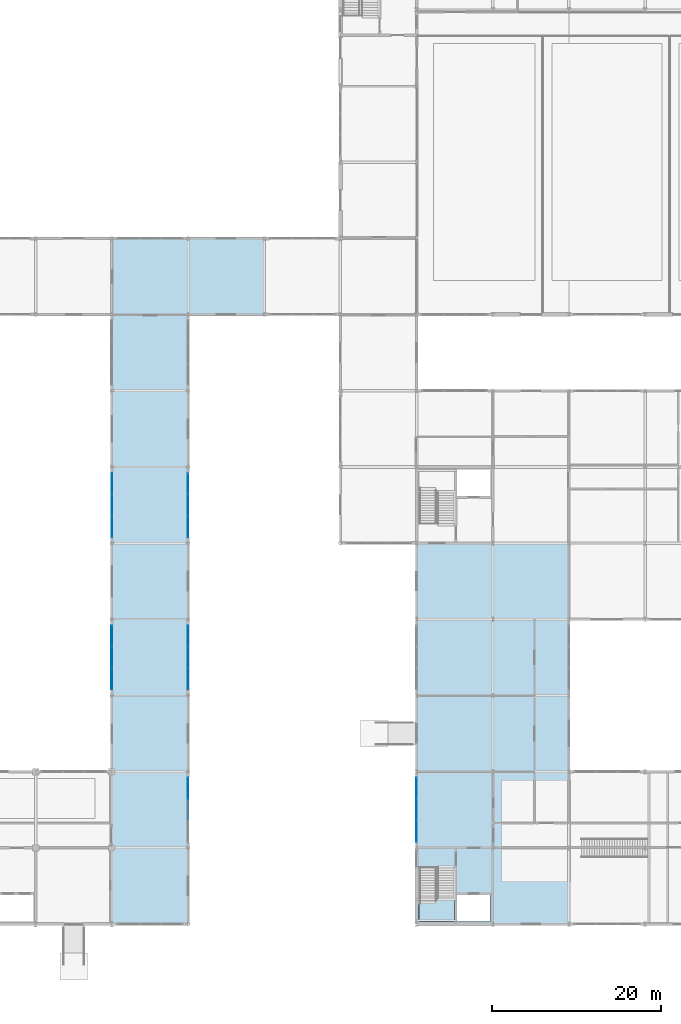
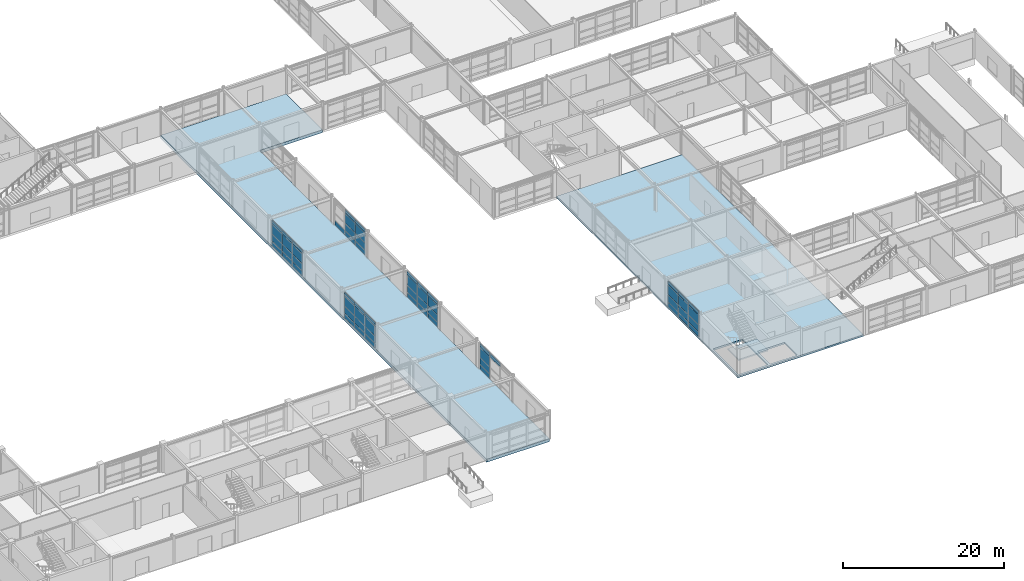
# One storey, part 47 of 72: 62 plates, 3 slabs, 6 elements without a shape of their own.
"""IFC4 building model written with IfcOpenShell, lengths in metres."""

import ifcopenshell
import ifcopenshell.guid

model = None  # the IFC model being written
_history = None  # IfcOwnerHistory: only IFC2X3 demands one
_inside = {}  # id of a spatial element -> (the spatial element, [elements in it])
_under = {}  # id of a project, library or spatial element -> (it, [spatial elements below it])
_declared = {}  # id of a project -> (the project, [libraries it declares])
_typed = {}  # id of a type object -> (the type object, [elements of that type])
_made_of = {}  # id of a material, layer set ... -> (it, [elements and type objects made of it])


def new_model(schema):
    """Start an empty IFC model of exactly this schema.

    Asked for "IFC4X3", IfcOpenShell would pick the latest addendum, in which some entities
    have other attributes; the version numbers below select the first issue.
    IFC2X3 requires an IfcOwnerHistory on every rooted entity: one is made here for all.
    """
    global model, _history
    if schema == "IFC4X3":
        model = ifcopenshell.file(schema_version=(4, 3, 0, 0))
    else:
        model = ifcopenshell.file(schema=schema)
    _inside.clear()
    _under.clear()
    _declared.clear()
    _typed.clear()
    _made_of.clear()
    _history = None
    if model.schema == "IFC2X3":
        org = make("IfcOrganization", Name="unknown")
        user = make(
            "IfcPersonAndOrganization",
            ThePerson=make("IfcPerson", FamilyName="unknown"),
            TheOrganization=org,
        )
        app = make(
            "IfcApplication",
            ApplicationDeveloper=org,
            Version="unknown",
            ApplicationFullName="unknown",
            ApplicationIdentifier="unknown",
        )
        _history = make(
            "IfcOwnerHistory",
            OwningUser=user,
            OwningApplication=app,
            ChangeAction="ADDED",
            CreationDate=0,
        )
    return model


def make(cls, **values):
    """One entity of the class cls with the attributes given. An attribute that is None is left unset."""
    return model.create_entity(
        cls, **{name: value for name, value in values.items() if value is not None}
    )


def rooted(cls, **values):
    """An entity with a GlobalId (a new one), such as an element, a storey or a relation."""
    return make(cls, GlobalId=ifcopenshell.guid.new(), OwnerHistory=_history, **values)


def si_unit(unit_type, name, prefix=None):
    """IfcSIUnit, for example si_unit("LENGTHUNIT", "METRE", prefix="MILLI")."""
    return make("IfcSIUnit", UnitType=unit_type, Prefix=prefix, Name=name)


def assignment(units):
    """IfcUnitAssignment: the units of a project."""
    return None if units is None else make("IfcUnitAssignment", Units=units)


def point(xyz):
    """IfcCartesianPoint."""
    return None if xyz is None else make("IfcCartesianPoint", Coordinates=xyz)


def direction(xyz):
    """IfcDirection."""
    return None if xyz is None else make("IfcDirection", DirectionRatios=xyz)


def frame(location, z_axis=None, x_axis=None):
    """IfcAxis2Placement3D, a coordinate frame: its origin and axes. An axis left out is left unset."""
    return make(
        "IfcAxis2Placement3D",
        Location=point(location),
        Axis=direction(z_axis),
        RefDirection=direction(x_axis),
    )


def frame_2d(location, x_axis=None):
    """IfcAxis2Placement2D, a coordinate frame in the plane: its origin and x axis."""
    return make(
        "IfcAxis2Placement2D", Location=point(location), RefDirection=direction(x_axis)
    )


def origin():
    """The frame at (0, 0, 0) with its axes left unset."""
    return frame((0.0, 0.0, 0.0))


def origin_2d():
    """The frame at (0, 0) in the plane with its x axis left unset."""
    return frame_2d((0.0, 0.0))


def place(relative_to, where):
    """IfcLocalPlacement: puts the frame where relative to a parent placement (None: the world)."""
    return make(
        "IfcLocalPlacement", PlacementRelTo=relative_to, RelativePlacement=where
    )


def context(
    kind, dimensions, precision=None, world=None, true_north=None, identifier=None
):
    """IfcGeometricRepresentationContext, for example the 3D "Model" context."""
    return make(
        "IfcGeometricRepresentationContext",
        ContextIdentifier=identifier,
        ContextType=kind,
        CoordinateSpaceDimension=dimensions,
        Precision=precision,
        WorldCoordinateSystem=world,
        TrueNorth=true_north,
    )


def subcontext(parent, identifier, kind, view, scale=None):
    """IfcGeometricRepresentationSubContext, for example "Body" below "Model"."""
    return make(
        "IfcGeometricRepresentationSubContext",
        ContextIdentifier=identifier,
        ContextType=kind,
        ParentContext=parent,
        TargetScale=scale,
        TargetView=view,
    )


def project(units=None, contexts=None):
    """IfcProject with its units and contexts."""
    return rooted(
        "IfcProject",
        Name="project",
        RepresentationContexts=contexts,
        UnitsInContext=assignment(units),
    )


def spatial(cls, under=None, at=None, **own):
    """A site, building, storey or space (cls), placed at a placement, below another one or the project."""
    s = rooted(cls, ObjectPlacement=at, **own)
    if under is not None:
        _under.setdefault(under.id(), (under, []))[1].append(s)
    return s


def polyline(points):
    """IfcPolyline through the points."""
    return make("IfcPolyline", Points=[point(p) for p in points])


def profile(cls, at=None, kind="AREA", **sizes):
    """A parametric profile (cls). Its sizes go by their IFC names, for example OverallWidth=200.0."""
    return make(cls, ProfileType=kind, Position=at, **sizes)


def rectangle(**sizes):
    """IfcRectangleProfileDef."""
    return profile("IfcRectangleProfileDef", **sizes)


def outline(outer, holes=None, kind="AREA"):
    """IfcArbitraryClosedProfileDef: a profile drawn as a closed curve; with holes, ...WithVoids."""
    if holes is None:
        return make("IfcArbitraryClosedProfileDef", ProfileType=kind, OuterCurve=outer)
    return make(
        "IfcArbitraryProfileDefWithVoids",
        ProfileType=kind,
        OuterCurve=outer,
        InnerCurves=holes,
    )


def extrude(swept, where, along, depth):
    """IfcExtrudedAreaSolid: the profile swept, set in the frame where, extruded along a direction by depth."""
    return make(
        "IfcExtrudedAreaSolid",
        SweptArea=swept,
        Position=where,
        ExtrudedDirection=direction(along),
        Depth=depth,
    )


def shape(context_of_items, identifier, shape_type, items):
    """IfcShapeRepresentation: the items that make up one representation, for example the "Body"."""
    return make(
        "IfcShapeRepresentation",
        ContextOfItems=context_of_items,
        RepresentationIdentifier=identifier,
        RepresentationType=shape_type,
        Items=items,
    )


def material(Name=None, Category=None):
    """IfcMaterial."""
    return make("IfcMaterial", Name=Name, Category=Category)


def layer(
    of_material, thickness, ventilated=None, Name=None, Category=None, Priority=None
):
    """IfcMaterialLayer: one layer of a wall or slab, of a material (None: an air gap)."""
    return make(
        "IfcMaterialLayer",
        Material=of_material,
        LayerThickness=thickness,
        IsVentilated=ventilated,
        Name=Name,
        Category=Category,
        Priority=Priority,
    )


def layer_set(layers, Name=None):
    """IfcMaterialLayerSet."""
    return make("IfcMaterialLayerSet", MaterialLayers=layers, LayerSetName=Name)


def made_of(thing, what):
    """Note that an element or type object is made of a material, layer set ...; save() writes the relation."""
    if what is not None:
        _made_of.setdefault(what.id(), (what, []))[1].append(thing)
    return thing


def type_object(cls, material=None, **own):
    """A type object (cls), such as IfcWallType, which elements share."""
    return made_of(rooted(cls, **own), material)


def element(
    cls,
    number,
    at=None,
    inside=None,
    cuts=None,
    type_object=None,
    material=None,
    context=None,
    identifier="Body",
    shape_type=None,
    held_by="IfcProductDefinitionShape",
    body=None,
    shapes=None,
    **own,
):
    """One element of the class cls, such as IfcWall. Its Tag is "e" and its number.

    at: its placement. inside: the storey or other place that contains it. cuts: it is an
    opening in that element (IfcRelVoidsElement). A single representation is given by context,
    identifier, shape_type and body (its items); several are given by shapes. held_by: the class
    of the entity that holds the representations. save() writes the other relations.
    """
    e = rooted(cls, Tag="e%d" % number, ObjectPlacement=at, **own)
    if body is not None:
        shapes = [shape(context, identifier, shape_type, body)]
    if shapes is not None:
        e.Representation = make(held_by, Representations=shapes)
    if inside is not None:
        _inside.setdefault(inside.id(), (inside, []))[1].append(e)
    if cuts is not None:
        rooted(
            "IfcRelVoidsElement", RelatingBuildingElement=cuts, RelatedOpeningElement=e
        )
    if type_object is not None:
        _typed.setdefault(type_object.id(), (type_object, []))[1].append(e)
    return made_of(e, material)


def aggregate(whole, parts):
    """IfcRelAggregates: a whole, such as a stair, and the parts it consists of."""
    return rooted("IfcRelAggregates", RelatingObject=whole, RelatedObjects=parts)


def save(model, path):
    """Write the relations noted so far, then the file.

    IfcRelAggregates (storeys below a building ...), IfcRelContainedInSpatialStructure (elements
    in a storey), IfcRelDefinesByType, IfcRelAssociatesMaterial and IfcRelDeclares: one each for
    every whole, place, type object, material and project.
    """
    for whole, parts in _under.values():
        aggregate(whole, parts)
    for where, things in _inside.values():
        rooted(
            "IfcRelContainedInSpatialStructure",
            RelatedElements=things,
            RelatingStructure=where,
        )
    for kind, things in _typed.values():
        rooted("IfcRelDefinesByType", RelatedObjects=things, RelatingType=kind)
    for what, things in _made_of.values():
        rooted("IfcRelAssociatesMaterial", RelatedObjects=things, RelatingMaterial=what)
    for by, libraries in _declared.values():
        rooted("IfcRelDeclares", RelatingContext=by, RelatedDefinitions=libraries)
    model.write(path)


model = new_model("IFC4")

# Units and contexts
model_context = context("Model", 3, precision=1e-05, world=origin(), true_north=direction((0.0, 1.0)))
body_context = subcontext(model_context, "Body", "Model", "MODEL_VIEW")
ifc_project = project(units=[si_unit("LENGTHUNIT", "METRE"), si_unit("AREAUNIT", "SQUARE_METRE"), si_unit("VOLUMEUNIT", "CUBIC_METRE"), si_unit("PLANEANGLEUNIT", "RADIAN"), si_unit("MASSUNIT", "GRAM", prefix="KILO")], contexts=[model_context])

# Site, building, storey
site_placement = place(None, origin())
site = spatial("IfcSite", under=ifc_project, at=site_placement, CompositionType="ELEMENT")
building_placement = place(site_placement, origin())
building = spatial("IfcBuilding", under=site, at=building_placement, Name="Palais des Congres Ocreval", CompositionType="ELEMENT")
storey_placement = place(building_placement, origin())
storey = spatial("IfcBuildingStorey", under=building, at=storey_placement, Name="L00", CompositionType="ELEMENT", Elevation=0.0)

# Curtain wall, plates
ifc_material_1 = material(Name="Anodized bronze aluminium and low-E glass", Category="glass")
curtain_wall_type = type_object("IfcCurtainWallType", Name="Unitised Curtain Wall 7900x4060", PredefinedType="USERDEFINED", material=ifc_material_1)
curtain_wall_1_placement = place(storey_placement, origin())
curtain_wall_1 = element("IfcCurtainWall", 1, at=curtain_wall_1_placement, inside=storey, type_object=curtain_wall_type, Name="Unitised Curtain Wall CW01 L00", ObjectType="UNITISED CURTAIN WALL", PredefinedType="USERDEFINED")
ifc_material_2 = material(Name="Acoustic triple glazing", Category="glass")
ifc_layer_1 = layer(ifc_material_2, 0.0439453125)
ifc_layer_set_1 = layer_set([ifc_layer_1], Name="Acoustic Laminated Glazing Panel 44 (Acoustic triple glazing)")
plate_type_1 = type_object("IfcPlateType", Name="Acoustic Laminated Glazing Panel 44", PredefinedType="CURTAIN_PANEL", material=ifc_layer_set_1)
plate_1_placement = place(storey_placement, frame((81.0, 34.0478515625, 0.06005859375), z_axis=(0.0, 0.0, 1.0), x_axis=(0.0, -1.0, 0.0)))
plate_1 = element("IfcPlate", 2, at=plate_1_placement, type_object=plate_type_1, Name="Vision Glazing Panel VP02", PredefinedType="CURTAIN_PANEL", context=body_context, shape_type="SweptSolid", body=[
    extrude(rectangle(XDim=2.4541015625, YDim=0.0439453125, at=origin_2d()), origin(), (0.0, 0.0, 1.0), 0.68994140625),
])
plate_2_placement = place(storey_placement, frame((81.0, 34.0478515625, 0.81005859375), z_axis=(0.0, 0.0, 1.0), x_axis=(0.0, -1.0, 0.0)))
plate_2 = element("IfcPlate", 3, at=plate_2_placement, type_object=plate_type_1, Name="Vision Glazing Panel VP02", PredefinedType="CURTAIN_PANEL", context=body_context, shape_type="SweptSolid", body=[
    extrude(rectangle(XDim=2.4541015625, YDim=0.0439453125, at=origin_2d()), origin(), (0.0, 0.0, 1.0), 1.03271484375),
])
plate_3_placement = place(storey_placement, frame((81.0, 34.0478515625, 1.90283203125), z_axis=(0.0, 0.0, 1.0), x_axis=(0.0, -1.0, 0.0)))
plate_3 = element("IfcPlate", 4, at=plate_3_placement, type_object=plate_type_1, Name="Vision Glazing Panel VP02", PredefinedType="CURTAIN_PANEL", context=body_context, shape_type="SweptSolid", body=[
    extrude(rectangle(XDim=2.4541015625, YDim=0.0439453125, at=origin_2d()), origin(), (0.0, 0.0, 1.0), 1.47216796875),
])
plate_4_placement = place(storey_placement, frame((81.0, 31.5, 0.06005859375), z_axis=(0.0, 0.0, 1.0), x_axis=(0.0, -1.0, 0.0)))
plate_4 = element("IfcPlate", 5, at=plate_4_placement, type_object=plate_type_1, Name="Vision Glazing Panel VP02", PredefinedType="CURTAIN_PANEL", context=body_context, shape_type="SweptSolid", body=[
    extrude(rectangle(XDim=2.49169921875, YDim=0.0439453125, at=origin_2d()), origin(), (0.0, 0.0, 1.0), 0.68994140625),
])
plate_5_placement = place(storey_placement, frame((81.0, 31.5, 0.81005859375), z_axis=(0.0, 0.0, 1.0), x_axis=(0.0, -1.0, 0.0)))
plate_5 = element("IfcPlate", 6, at=plate_5_placement, type_object=plate_type_1, Name="Vision Glazing Panel VP02", PredefinedType="CURTAIN_PANEL", context=body_context, shape_type="SweptSolid", body=[
    extrude(rectangle(XDim=2.49169921875, YDim=0.0439453125, at=origin_2d()), origin(), (0.0, 0.0, 1.0), 1.03271484375),
])
plate_6_placement = place(storey_placement, frame((81.0, 31.5, 1.90283203125), z_axis=(0.0, 0.0, 1.0), x_axis=(0.0, -1.0, 0.0)))
plate_6 = element("IfcPlate", 7, at=plate_6_placement, type_object=plate_type_1, Name="Vision Glazing Panel VP02", PredefinedType="CURTAIN_PANEL", context=body_context, shape_type="SweptSolid", body=[
    extrude(rectangle(XDim=2.49169921875, YDim=0.0439453125, at=origin_2d()), origin(), (0.0, 0.0, 1.0), 1.47216796875),
])
plate_7_placement = place(storey_placement, frame((81.0, 28.9521484375, 0.06005859375), z_axis=(0.0, 0.0, 1.0), x_axis=(0.0, -1.0, 0.0)))
plate_7 = element("IfcPlate", 8, at=plate_7_placement, type_object=plate_type_1, Name="Vision Glazing Panel VP02", PredefinedType="CURTAIN_PANEL", context=body_context, shape_type="SweptSolid", body=[
    extrude(rectangle(XDim=2.4541015625, YDim=0.0439453125, at=origin_2d()), origin(), (0.0, 0.0, 1.0), 0.68994140625),
])
plate_8_placement = place(storey_placement, frame((81.0, 28.9521484375, 0.81005859375), z_axis=(0.0, 0.0, 1.0), x_axis=(0.0, -1.0, 0.0)))
plate_8 = element("IfcPlate", 9, at=plate_8_placement, type_object=plate_type_1, Name="Vision Glazing Panel VP02", PredefinedType="CURTAIN_PANEL", context=body_context, shape_type="SweptSolid", body=[
    extrude(rectangle(XDim=2.4541015625, YDim=0.0439453125, at=origin_2d()), origin(), (0.0, 0.0, 1.0), 1.03271484375),
])
plate_9_placement = place(storey_placement, frame((81.0, 28.9521484375, 1.90283203125), z_axis=(0.0, 0.0, 1.0), x_axis=(0.0, -1.0, 0.0)))
plate_9 = element("IfcPlate", 10, at=plate_9_placement, type_object=plate_type_1, Name="Vision Glazing Panel VP02", PredefinedType="CURTAIN_PANEL", context=body_context, shape_type="SweptSolid", body=[
    extrude(rectangle(XDim=2.4541015625, YDim=0.0439453125, at=origin_2d()), origin(), (0.0, 0.0, 1.0), 1.47216796875),
])

curtain_wall_2_placement = place(storey_placement, origin())
curtain_wall_2 = element("IfcCurtainWall", 11, at=curtain_wall_2_placement, inside=storey, type_object=curtain_wall_type, Name="Unitised Curtain Wall CW01 L00", ObjectType="UNITISED CURTAIN WALL", PredefinedType="USERDEFINED")
plate_10_placement = place(storey_placement, frame((72.0, 28.9521484375, 0.06005859375), z_axis=(0.0, 0.0, 1.0), x_axis=(0.0, 1.0, 0.0)))
plate_10 = element("IfcPlate", 12, at=plate_10_placement, type_object=plate_type_1, Name="Vision Glazing Panel VP02", PredefinedType="CURTAIN_PANEL", context=body_context, shape_type="SweptSolid", body=[
    extrude(rectangle(XDim=2.4541015625, YDim=0.0439453125, at=origin_2d()), origin(), (0.0, 0.0, 1.0), 0.68994140625),
])
plate_11_placement = place(storey_placement, frame((72.0, 28.9521484375, 0.81005859375), z_axis=(0.0, 0.0, 1.0), x_axis=(0.0, 1.0, 0.0)))
plate_11 = element("IfcPlate", 13, at=plate_11_placement, type_object=plate_type_1, Name="Vision Glazing Panel VP02", PredefinedType="CURTAIN_PANEL", context=body_context, shape_type="SweptSolid", body=[
    extrude(rectangle(XDim=2.4541015625, YDim=0.0439453125, at=origin_2d()), origin(), (0.0, 0.0, 1.0), 1.03271484375),
])
plate_12_placement = place(storey_placement, frame((72.0, 28.9521484375, 1.90283203125), z_axis=(0.0, 0.0, 1.0), x_axis=(0.0, 1.0, 0.0)))
plate_12 = element("IfcPlate", 14, at=plate_12_placement, type_object=plate_type_1, Name="Vision Glazing Panel VP02", PredefinedType="CURTAIN_PANEL", context=body_context, shape_type="SweptSolid", body=[
    extrude(rectangle(XDim=2.4541015625, YDim=0.0439453125, at=origin_2d()), origin(), (0.0, 0.0, 1.0), 1.47216796875),
])
plate_13_placement = place(storey_placement, frame((72.0, 31.5, 0.06005859375), z_axis=(0.0, 0.0, 1.0), x_axis=(0.0, 1.0, 0.0)))
plate_13 = element("IfcPlate", 15, at=plate_13_placement, type_object=plate_type_1, Name="Vision Glazing Panel VP02", PredefinedType="CURTAIN_PANEL", context=body_context, shape_type="SweptSolid", body=[
    extrude(rectangle(XDim=2.49169921875, YDim=0.0439453125, at=origin_2d()), origin(), (0.0, 0.0, 1.0), 0.68994140625),
])
plate_14_placement = place(storey_placement, frame((72.0, 31.5, 0.81005859375), z_axis=(0.0, 0.0, 1.0), x_axis=(0.0, 1.0, 0.0)))
plate_14 = element("IfcPlate", 16, at=plate_14_placement, type_object=plate_type_1, Name="Vision Glazing Panel VP02", PredefinedType="CURTAIN_PANEL", context=body_context, shape_type="SweptSolid", body=[
    extrude(rectangle(XDim=2.49169921875, YDim=0.0439453125, at=origin_2d()), origin(), (0.0, 0.0, 1.0), 1.03271484375),
])
plate_15_placement = place(storey_placement, frame((72.0, 31.5, 1.90283203125), z_axis=(0.0, 0.0, 1.0), x_axis=(0.0, 1.0, 0.0)))
plate_15 = element("IfcPlate", 17, at=plate_15_placement, type_object=plate_type_1, Name="Vision Glazing Panel VP02", PredefinedType="CURTAIN_PANEL", context=body_context, shape_type="SweptSolid", body=[
    extrude(rectangle(XDim=2.49169921875, YDim=0.0439453125, at=origin_2d()), origin(), (0.0, 0.0, 1.0), 1.47216796875),
])
plate_16_placement = place(storey_placement, frame((72.0, 34.0478515625, 0.06005859375), z_axis=(0.0, 0.0, 1.0), x_axis=(0.0, 1.0, 0.0)))
plate_16 = element("IfcPlate", 18, at=plate_16_placement, type_object=plate_type_1, Name="Vision Glazing Panel VP02", PredefinedType="CURTAIN_PANEL", context=body_context, shape_type="SweptSolid", body=[
    extrude(rectangle(XDim=2.4541015625, YDim=0.0439453125, at=origin_2d()), origin(), (0.0, 0.0, 1.0), 0.68994140625),
])
plate_17_placement = place(storey_placement, frame((72.0, 34.0478515625, 0.81005859375), z_axis=(0.0, 0.0, 1.0), x_axis=(0.0, 1.0, 0.0)))
plate_17 = element("IfcPlate", 19, at=plate_17_placement, type_object=plate_type_1, Name="Vision Glazing Panel VP02", PredefinedType="CURTAIN_PANEL", context=body_context, shape_type="SweptSolid", body=[
    extrude(rectangle(XDim=2.4541015625, YDim=0.0439453125, at=origin_2d()), origin(), (0.0, 0.0, 1.0), 1.03271484375),
])
plate_18_placement = place(storey_placement, frame((72.0, 34.0478515625, 1.90283203125), z_axis=(0.0, 0.0, 1.0), x_axis=(0.0, 1.0, 0.0)))
plate_18 = element("IfcPlate", 20, at=plate_18_placement, type_object=plate_type_1, Name="Vision Glazing Panel VP02", PredefinedType="CURTAIN_PANEL", context=body_context, shape_type="SweptSolid", body=[
    extrude(rectangle(XDim=2.4541015625, YDim=0.0439453125, at=origin_2d()), origin(), (0.0, 0.0, 1.0), 1.47216796875),
])

curtain_wall_3_placement = place(storey_placement, origin())
curtain_wall_3 = element("IfcCurtainWall", 21, at=curtain_wall_3_placement, inside=storey, type_object=curtain_wall_type, Name="Unitised Curtain Wall CW01 L00", ObjectType="UNITISED CURTAIN WALL", PredefinedType="USERDEFINED")
ifc_material_3 = material(Name="Anodized bronze aluminium", Category="aluminium")
ifc_layer_2 = layer(ifc_material_3, 0.06005859375)
ifc_layer_set_2 = layer_set([ifc_layer_2], Name="Anodized Bronze Spandrel Cassette 60 (Anodized bronze aluminium)")
plate_type_2 = type_object("IfcPlateType", Name="Anodized Bronze Spandrel Cassette 60", PredefinedType="SHEET", material=ifc_layer_set_2)
plate_19_placement = place(storey_placement, frame((108.0, 10.9521484375, 3.43505859375), z_axis=(0.0, 0.0, 1.0), x_axis=(0.0, 1.0, 0.0)))
plate_19 = element("IfcPlate", 22, at=plate_19_placement, type_object=plate_type_2, Name="Spandrel Sheet SPN1", PredefinedType="SHEET", context=body_context, shape_type="SweptSolid", body=[
    extrude(rectangle(XDim=2.4541015625, YDim=0.06005859375, at=origin_2d()), origin(), (0.0, 0.0, 1.0), 0.56005859375),
])
plate_20_placement = place(storey_placement, frame((108.0, 13.5, 3.43505859375), z_axis=(0.0, 0.0, 1.0), x_axis=(0.0, 1.0, 0.0)))
plate_20 = element("IfcPlate", 23, at=plate_20_placement, type_object=plate_type_2, Name="Spandrel Sheet SPN1", PredefinedType="SHEET", context=body_context, shape_type="SweptSolid", body=[
    extrude(rectangle(XDim=2.49169921875, YDim=0.06005859375, at=origin_2d()), origin(), (0.0, 0.0, 1.0), 0.56005859375),
])
plate_21_placement = place(storey_placement, frame((108.0, 16.0478515625, 3.43505859375), z_axis=(0.0, 0.0, 1.0), x_axis=(0.0, 1.0, 0.0)))
plate_21 = element("IfcPlate", 24, at=plate_21_placement, type_object=plate_type_2, Name="Spandrel Sheet SPN1", PredefinedType="SHEET", context=body_context, shape_type="SweptSolid", body=[
    extrude(rectangle(XDim=2.4541015625, YDim=0.06005859375, at=origin_2d()), origin(), (0.0, 0.0, 1.0), 0.56005859375),
])

curtain_wall_4_placement = place(storey_placement, origin())
curtain_wall_4 = element("IfcCurtainWall", 25, at=curtain_wall_4_placement, inside=storey, type_object=curtain_wall_type, Name="Unitised Curtain Wall CW01 L00", ObjectType="UNITISED CURTAIN WALL", PredefinedType="USERDEFINED")
plate_22_placement = place(storey_placement, frame((81.0, 49.5, 3.43505859375), z_axis=(0.0, 0.0, 1.0), x_axis=(0.0, -1.0, 0.0)))
plate_22 = element("IfcPlate", 26, at=plate_22_placement, type_object=plate_type_2, Name="Spandrel Sheet SPN1", PredefinedType="SHEET", context=body_context, shape_type="SweptSolid", body=[
    extrude(rectangle(XDim=2.49169921875, YDim=0.06005859375, at=origin_2d()), origin(), (0.0, 0.0, 1.0), 0.56005859375),
])
plate_23_placement = place(storey_placement, frame((81.0, 46.9521484375, 3.43505859375), z_axis=(0.0, 0.0, 1.0), x_axis=(0.0, -1.0, 0.0)))
plate_23 = element("IfcPlate", 27, at=plate_23_placement, type_object=plate_type_2, Name="Spandrel Sheet SPN1", PredefinedType="SHEET", context=body_context, shape_type="SweptSolid", body=[
    extrude(rectangle(XDim=2.4541015625, YDim=0.06005859375, at=origin_2d()), origin(), (0.0, 0.0, 1.0), 0.56005859375),
])

curtain_wall_5_placement = place(storey_placement, origin())
curtain_wall_5 = element("IfcCurtainWall", 28, at=curtain_wall_5_placement, inside=storey, type_object=curtain_wall_type, Name="Unitised Curtain Wall CW01 L00", ObjectType="UNITISED CURTAIN WALL", PredefinedType="USERDEFINED")
plate_24_placement = place(storey_placement, frame((81.0, 16.0478515625, 3.43505859375), z_axis=(0.0, 0.0, 1.0), x_axis=(0.0, -1.0, 0.0)))
plate_24 = element("IfcPlate", 29, at=plate_24_placement, type_object=plate_type_2, Name="Spandrel Sheet SPN1", PredefinedType="SHEET", context=body_context, shape_type="SweptSolid", body=[
    extrude(rectangle(XDim=2.4541015625, YDim=0.06005859375, at=origin_2d()), origin(), (0.0, 0.0, 1.0), 0.56005859375),
])
plate_25_placement = place(storey_placement, frame((81.0, 13.5, 3.43505859375), z_axis=(0.0, 0.0, 1.0), x_axis=(0.0, -1.0, 0.0)))
plate_25 = element("IfcPlate", 30, at=plate_25_placement, type_object=plate_type_2, Name="Spandrel Sheet SPN1", PredefinedType="SHEET", context=body_context, shape_type="SweptSolid", body=[
    extrude(rectangle(XDim=2.49169921875, YDim=0.06005859375, at=origin_2d()), origin(), (0.0, 0.0, 1.0), 0.56005859375),
])

curtain_wall_6_placement = place(storey_placement, origin())
curtain_wall_6 = element("IfcCurtainWall", 31, at=curtain_wall_6_placement, inside=storey, type_object=curtain_wall_type, Name="Unitised Curtain Wall CW01 L00", ObjectType="UNITISED CURTAIN WALL", PredefinedType="USERDEFINED")
plate_26_placement = place(storey_placement, frame((72.0, 46.9521484375, 3.43505859375), z_axis=(0.0, 0.0, 1.0), x_axis=(0.0, 1.0, 0.0)))
plate_26 = element("IfcPlate", 32, at=plate_26_placement, type_object=plate_type_2, Name="Spandrel Sheet SPN1", PredefinedType="SHEET", context=body_context, shape_type="SweptSolid", body=[
    extrude(rectangle(XDim=2.4541015625, YDim=0.06005859375, at=origin_2d()), origin(), (0.0, 0.0, 1.0), 0.56005859375),
])
plate_27_placement = place(storey_placement, frame((72.0, 49.5, 3.43505859375), z_axis=(0.0, 0.0, 1.0), x_axis=(0.0, 1.0, 0.0)))
plate_27 = element("IfcPlate", 33, at=plate_27_placement, type_object=plate_type_2, Name="Spandrel Sheet SPN1", PredefinedType="SHEET", context=body_context, shape_type="SweptSolid", body=[
    extrude(rectangle(XDim=2.49169921875, YDim=0.06005859375, at=origin_2d()), origin(), (0.0, 0.0, 1.0), 0.56005859375),
])
plate_28_placement = place(storey_placement, frame((72.0, 52.0478515625, 3.43505859375), z_axis=(0.0, 0.0, 1.0), x_axis=(0.0, 1.0, 0.0)))
plate_28 = element("IfcPlate", 34, at=plate_28_placement, type_object=plate_type_2, Name="Spandrel Sheet SPN1", PredefinedType="SHEET", context=body_context, shape_type="SweptSolid", body=[
    extrude(rectangle(XDim=2.4541015625, YDim=0.06005859375, at=origin_2d()), origin(), (0.0, 0.0, 1.0), 0.56005859375),
])

# Plate
ifc_material_4 = material(Name="Low-E solar-control double glazing", Category="glass")
ifc_layer_3 = layer(ifc_material_4, 0.031982421875)
ifc_layer_set_3 = layer_set([ifc_layer_3], Name="Galleria Clear Vision Panel 32 (Low-E solar-control double glazing)")
plate_type_3 = type_object("IfcPlateType", Name="Galleria Clear Vision Panel 32", PredefinedType="CURTAIN_PANEL", material=ifc_layer_set_3)
plate_29_placement = place(storey_placement, frame((81.0, 16.0478515625, 0.06005859375), z_axis=(0.0, 0.0, 1.0), x_axis=(0.0, -1.0, 0.0)))
plate_29 = element("IfcPlate", 35, at=plate_29_placement, type_object=plate_type_3, Name="Vision Glazing Panel VP03", PredefinedType="CURTAIN_PANEL", context=body_context, shape_type="SweptSolid", body=[
    extrude(rectangle(XDim=2.4541015625, YDim=0.031982421875, at=origin_2d()), origin(), (0.0, 0.0, 1.0), 0.68994140625),
])

plate_30_placement = place(storey_placement, frame((81.0, 16.0478515625, 0.81005859375), z_axis=(0.0, 0.0, 1.0), x_axis=(0.0, -1.0, 0.0)))
plate_30 = element("IfcPlate", 36, at=plate_30_placement, type_object=plate_type_3, Name="Vision Glazing Panel VP03", PredefinedType="CURTAIN_PANEL", context=body_context, shape_type="SweptSolid", body=[
    extrude(rectangle(XDim=2.4541015625, YDim=0.031982421875, at=origin_2d()), origin(), (0.0, 0.0, 1.0), 1.03271484375),
])

plate_31_placement = place(storey_placement, frame((81.0, 16.0478515625, 1.90283203125), z_axis=(0.0, 0.0, 1.0), x_axis=(0.0, -1.0, 0.0)))
plate_31 = element("IfcPlate", 37, at=plate_31_placement, type_object=plate_type_3, Name="Vision Glazing Panel VP03", PredefinedType="CURTAIN_PANEL", context=body_context, shape_type="SweptSolid", body=[
    extrude(rectangle(XDim=2.4541015625, YDim=0.031982421875, at=origin_2d()), origin(), (0.0, 0.0, 1.0), 1.47216796875),
])

aggregate(curtain_wall_5, [plate_29, plate_30, plate_31, plate_24, plate_25])

plate_32_placement = place(storey_placement, frame((72.0, 46.9521484375, 0.06005859375), z_axis=(0.0, 0.0, 1.0), x_axis=(0.0, 1.0, 0.0)))
plate_32 = element("IfcPlate", 38, at=plate_32_placement, type_object=plate_type_3, Name="Vision Glazing Panel VP03", PredefinedType="CURTAIN_PANEL", context=body_context, shape_type="SweptSolid", body=[
    extrude(rectangle(XDim=2.4541015625, YDim=0.031982421875, at=origin_2d()), origin(), (0.0, 0.0, 1.0), 0.68994140625),
])

plate_33_placement = place(storey_placement, frame((72.0, 46.9521484375, 0.81005859375), z_axis=(0.0, 0.0, 1.0), x_axis=(0.0, 1.0, 0.0)))
plate_33 = element("IfcPlate", 39, at=plate_33_placement, type_object=plate_type_3, Name="Vision Glazing Panel VP03", PredefinedType="CURTAIN_PANEL", context=body_context, shape_type="SweptSolid", body=[
    extrude(rectangle(XDim=2.4541015625, YDim=0.031982421875, at=origin_2d()), origin(), (0.0, 0.0, 1.0), 1.03271484375),
])

plate_34_placement = place(storey_placement, frame((72.0, 46.9521484375, 1.90283203125), z_axis=(0.0, 0.0, 1.0), x_axis=(0.0, 1.0, 0.0)))
plate_34 = element("IfcPlate", 40, at=plate_34_placement, type_object=plate_type_3, Name="Vision Glazing Panel VP03", PredefinedType="CURTAIN_PANEL", context=body_context, shape_type="SweptSolid", body=[
    extrude(rectangle(XDim=2.4541015625, YDim=0.031982421875, at=origin_2d()), origin(), (0.0, 0.0, 1.0), 1.47216796875),
])

plate_35_placement = place(storey_placement, frame((72.0, 49.5, 0.06005859375), z_axis=(0.0, 0.0, 1.0), x_axis=(0.0, 1.0, 0.0)))
plate_35 = element("IfcPlate", 41, at=plate_35_placement, type_object=plate_type_3, Name="Vision Glazing Panel VP03", PredefinedType="CURTAIN_PANEL", context=body_context, shape_type="SweptSolid", body=[
    extrude(rectangle(XDim=2.49169921875, YDim=0.031982421875, at=origin_2d()), origin(), (0.0, 0.0, 1.0), 0.68994140625),
])

plate_36_placement = place(storey_placement, frame((72.0, 49.5, 0.81005859375), z_axis=(0.0, 0.0, 1.0), x_axis=(0.0, 1.0, 0.0)))
plate_36 = element("IfcPlate", 42, at=plate_36_placement, type_object=plate_type_3, Name="Vision Glazing Panel VP03", PredefinedType="CURTAIN_PANEL", context=body_context, shape_type="SweptSolid", body=[
    extrude(rectangle(XDim=2.49169921875, YDim=0.031982421875, at=origin_2d()), origin(), (0.0, 0.0, 1.0), 1.03271484375),
])

plate_37_placement = place(storey_placement, frame((72.0, 49.5, 1.90283203125), z_axis=(0.0, 0.0, 1.0), x_axis=(0.0, 1.0, 0.0)))
plate_37 = element("IfcPlate", 43, at=plate_37_placement, type_object=plate_type_3, Name="Vision Glazing Panel VP03", PredefinedType="CURTAIN_PANEL", context=body_context, shape_type="SweptSolid", body=[
    extrude(rectangle(XDim=2.49169921875, YDim=0.031982421875, at=origin_2d()), origin(), (0.0, 0.0, 1.0), 1.47216796875),
])

plate_38_placement = place(storey_placement, frame((72.0, 52.0478515625, 0.06005859375), z_axis=(0.0, 0.0, 1.0), x_axis=(0.0, 1.0, 0.0)))
plate_38 = element("IfcPlate", 44, at=plate_38_placement, type_object=plate_type_3, Name="Vision Glazing Panel VP03", PredefinedType="CURTAIN_PANEL", context=body_context, shape_type="SweptSolid", body=[
    extrude(rectangle(XDim=2.4541015625, YDim=0.031982421875, at=origin_2d()), origin(), (0.0, 0.0, 1.0), 0.68994140625),
])

plate_39_placement = place(storey_placement, frame((72.0, 52.0478515625, 0.81005859375), z_axis=(0.0, 0.0, 1.0), x_axis=(0.0, 1.0, 0.0)))
plate_39 = element("IfcPlate", 45, at=plate_39_placement, type_object=plate_type_3, Name="Vision Glazing Panel VP03", PredefinedType="CURTAIN_PANEL", context=body_context, shape_type="SweptSolid", body=[
    extrude(rectangle(XDim=2.4541015625, YDim=0.031982421875, at=origin_2d()), origin(), (0.0, 0.0, 1.0), 1.03271484375),
])

plate_40_placement = place(storey_placement, frame((72.0, 52.0478515625, 1.90283203125), z_axis=(0.0, 0.0, 1.0), x_axis=(0.0, 1.0, 0.0)))
plate_40 = element("IfcPlate", 46, at=plate_40_placement, type_object=plate_type_3, Name="Vision Glazing Panel VP03", PredefinedType="CURTAIN_PANEL", context=body_context, shape_type="SweptSolid", body=[
    extrude(rectangle(XDim=2.4541015625, YDim=0.031982421875, at=origin_2d()), origin(), (0.0, 0.0, 1.0), 1.47216796875),
])

aggregate(curtain_wall_6, [plate_32, plate_33, plate_34, plate_26, plate_35, plate_36, plate_37, plate_27, plate_38, plate_39, plate_40, plate_28])

# Slabs
ifc_material_5 = material(Name="Concrete C40/50", Category="concrete")
ifc_layer_4 = layer(ifc_material_5, 0.260009765625)
ifc_layer_set_4 = layer_set([ifc_layer_4], Name="Ground Podium Slab 260 Concrete C40/50")
slab_type_1 = type_object("IfcSlabType", Name="Ground Podium Slab 260 Concrete C40/50", PredefinedType="FLOOR", material=ifc_layer_set_4)
slab_1_placement = place(storey_placement, frame((0.0, 0.0, -0.260009765625)))
element("IfcSlab", 47, at=slab_1_placement, inside=storey, type_object=slab_type_1, Name="Floor Slab SL08 L00 V3-1", PredefinedType="FLOOR", context=body_context, shape_type="SweptSolid", body=[
    extrude(outline(polyline([(108.0, 18.0), (108.0, 45.0), (126.0, 45.0), (126.0, 36.0), (126.0, 18.0), (126.0, 0.0), (108.0, 0.0), (108.0, 18.0)]), holes=[polyline([(112.800048828125, 3.449951171875), (112.800048828125, 0.300048828125), (116.699951171875, 0.300048828125), (116.699951171875, 3.449951171875), (112.800048828125, 3.449951171875)]), polyline([(112.5, 6.64990234375), (108.300048828125, 6.64990234375), (108.300048828125, 0.300048828125), (112.5, 0.300048828125), (112.5, 6.64990234375)])]), origin(), (0.0, 0.0, 1.0), 0.260009765625),
])
ifc_layer_5 = layer(ifc_material_5, 0.449951171875)
ifc_layer_set_5 = layer_set([ifc_layer_5], Name="Hydrotherapy Pool and Cistern Slab 450 Concrete C40/50")
slab_type_2 = type_object("IfcSlabType", Name="Hydrotherapy Pool and Cistern Slab 450 Concrete C40/50", PredefinedType="FLOOR", material=ifc_layer_set_5)
slab_2_placement = place(storey_placement, frame((0.0, 0.0, -0.449951171875)))
element("IfcSlab", 48, at=slab_2_placement, inside=storey, type_object=slab_type_2, Name="Floor Slab SL03 L00 V5-5", PredefinedType="FLOOR", context=body_context, shape_type="SweptSolid", body=[
    extrude(outline(polyline([(90.0, 81.0), (90.0, 72.0), (81.0, 72.0), (81.0, 0.0), (72.0, 0.0), (72.0, 72.0), (72.0, 81.0), (90.0, 81.0)])), origin(), (0.0, 0.0, 1.0), 0.449951171875),
])

# Plate
ifc_layer_6 = layer(ifc_material_4, 0.035888671875)
ifc_layer_set_6 = layer_set([ifc_layer_6], Name="Low-E Vision Glazing Panel 36 (Low-E solar-control double glazing)")
plate_type_4 = type_object("IfcPlateType", Name="Low-E Vision Glazing Panel 36", PredefinedType="CURTAIN_PANEL", material=ifc_layer_set_6)
plate_41_placement = place(storey_placement, frame((108.0, 10.9521484375, 0.06005859375), z_axis=(0.0, 0.0, 1.0), x_axis=(0.0, 1.0, 0.0)))
plate_41 = element("IfcPlate", 49, at=plate_41_placement, type_object=plate_type_4, Name="Vision Glazing Panel VP01", PredefinedType="CURTAIN_PANEL", context=body_context, shape_type="SweptSolid", body=[
    extrude(rectangle(XDim=2.4541015625, YDim=0.035888671875, at=origin_2d()), origin(), (0.0, 0.0, 1.0), 0.68994140625),
])

plate_42_placement = place(storey_placement, frame((108.0, 10.9521484375, 0.81005859375), z_axis=(0.0, 0.0, 1.0), x_axis=(0.0, 1.0, 0.0)))
plate_42 = element("IfcPlate", 50, at=plate_42_placement, type_object=plate_type_4, Name="Vision Glazing Panel VP01", PredefinedType="CURTAIN_PANEL", context=body_context, shape_type="SweptSolid", body=[
    extrude(rectangle(XDim=2.4541015625, YDim=0.035888671875, at=origin_2d()), origin(), (0.0, 0.0, 1.0), 1.03271484375),
])

plate_43_placement = place(storey_placement, frame((108.0, 10.9521484375, 1.90283203125), z_axis=(0.0, 0.0, 1.0), x_axis=(0.0, 1.0, 0.0)))
plate_43 = element("IfcPlate", 51, at=plate_43_placement, type_object=plate_type_4, Name="Vision Glazing Panel VP01", PredefinedType="CURTAIN_PANEL", context=body_context, shape_type="SweptSolid", body=[
    extrude(rectangle(XDim=2.4541015625, YDim=0.035888671875, at=origin_2d()), origin(), (0.0, 0.0, 1.0), 1.47216796875),
])

plate_44_placement = place(storey_placement, frame((108.0, 13.5, 0.06005859375), z_axis=(0.0, 0.0, 1.0), x_axis=(0.0, 1.0, 0.0)))
plate_44 = element("IfcPlate", 52, at=plate_44_placement, type_object=plate_type_4, Name="Vision Glazing Panel VP01", PredefinedType="CURTAIN_PANEL", context=body_context, shape_type="SweptSolid", body=[
    extrude(rectangle(XDim=2.49169921875, YDim=0.035888671875, at=origin_2d()), origin(), (0.0, 0.0, 1.0), 0.68994140625),
])

plate_45_placement = place(storey_placement, frame((108.0, 13.5, 0.81005859375), z_axis=(0.0, 0.0, 1.0), x_axis=(0.0, 1.0, 0.0)))
plate_45 = element("IfcPlate", 53, at=plate_45_placement, type_object=plate_type_4, Name="Vision Glazing Panel VP01", PredefinedType="CURTAIN_PANEL", context=body_context, shape_type="SweptSolid", body=[
    extrude(rectangle(XDim=2.49169921875, YDim=0.035888671875, at=origin_2d()), origin(), (0.0, 0.0, 1.0), 1.03271484375),
])

plate_46_placement = place(storey_placement, frame((108.0, 13.5, 1.90283203125), z_axis=(0.0, 0.0, 1.0), x_axis=(0.0, 1.0, 0.0)))
plate_46 = element("IfcPlate", 54, at=plate_46_placement, type_object=plate_type_4, Name="Vision Glazing Panel VP01", PredefinedType="CURTAIN_PANEL", context=body_context, shape_type="SweptSolid", body=[
    extrude(rectangle(XDim=2.49169921875, YDim=0.035888671875, at=origin_2d()), origin(), (0.0, 0.0, 1.0), 1.47216796875),
])

plate_47_placement = place(storey_placement, frame((108.0, 16.0478515625, 0.06005859375), z_axis=(0.0, 0.0, 1.0), x_axis=(0.0, 1.0, 0.0)))
plate_47 = element("IfcPlate", 55, at=plate_47_placement, type_object=plate_type_4, Name="Vision Glazing Panel VP01", PredefinedType="CURTAIN_PANEL", context=body_context, shape_type="SweptSolid", body=[
    extrude(rectangle(XDim=2.4541015625, YDim=0.035888671875, at=origin_2d()), origin(), (0.0, 0.0, 1.0), 0.68994140625),
])

plate_48_placement = place(storey_placement, frame((108.0, 16.0478515625, 0.81005859375), z_axis=(0.0, 0.0, 1.0), x_axis=(0.0, 1.0, 0.0)))
plate_48 = element("IfcPlate", 56, at=plate_48_placement, type_object=plate_type_4, Name="Vision Glazing Panel VP01", PredefinedType="CURTAIN_PANEL", context=body_context, shape_type="SweptSolid", body=[
    extrude(rectangle(XDim=2.4541015625, YDim=0.035888671875, at=origin_2d()), origin(), (0.0, 0.0, 1.0), 1.03271484375),
])

plate_49_placement = place(storey_placement, frame((108.0, 16.0478515625, 1.90283203125), z_axis=(0.0, 0.0, 1.0), x_axis=(0.0, 1.0, 0.0)))
plate_49 = element("IfcPlate", 57, at=plate_49_placement, type_object=plate_type_4, Name="Vision Glazing Panel VP01", PredefinedType="CURTAIN_PANEL", context=body_context, shape_type="SweptSolid", body=[
    extrude(rectangle(XDim=2.4541015625, YDim=0.035888671875, at=origin_2d()), origin(), (0.0, 0.0, 1.0), 1.47216796875),
])

aggregate(curtain_wall_3, [plate_41, plate_42, plate_43, plate_19, plate_44, plate_45, plate_46, plate_20, plate_47, plate_48, plate_49, plate_21])

plate_50_placement = place(storey_placement, frame((81.0, 52.0478515625, 0.06005859375), z_axis=(0.0, 0.0, 1.0), x_axis=(0.0, -1.0, 0.0)))
plate_50 = element("IfcPlate", 58, at=plate_50_placement, type_object=plate_type_4, Name="Vision Glazing Panel VP01", PredefinedType="CURTAIN_PANEL", context=body_context, shape_type="SweptSolid", body=[
    extrude(rectangle(XDim=2.4541015625, YDim=0.035888671875, at=origin_2d()), origin(), (0.0, 0.0, 1.0), 0.68994140625),
])

plate_51_placement = place(storey_placement, frame((81.0, 49.5, 0.06005859375), z_axis=(0.0, 0.0, 1.0), x_axis=(0.0, -1.0, 0.0)))
plate_51 = element("IfcPlate", 59, at=plate_51_placement, type_object=plate_type_4, Name="Vision Glazing Panel VP01", PredefinedType="CURTAIN_PANEL", context=body_context, shape_type="SweptSolid", body=[
    extrude(rectangle(XDim=2.49169921875, YDim=0.035888671875, at=origin_2d()), origin(), (0.0, 0.0, 1.0), 0.68994140625),
])

plate_52_placement = place(storey_placement, frame((81.0, 49.5, 0.81005859375), z_axis=(0.0, 0.0, 1.0), x_axis=(0.0, -1.0, 0.0)))
plate_52 = element("IfcPlate", 60, at=plate_52_placement, type_object=plate_type_4, Name="Vision Glazing Panel VP01", PredefinedType="CURTAIN_PANEL", context=body_context, shape_type="SweptSolid", body=[
    extrude(rectangle(XDim=2.49169921875, YDim=0.035888671875, at=origin_2d()), origin(), (0.0, 0.0, 1.0), 1.03271484375),
])

plate_53_placement = place(storey_placement, frame((81.0, 49.5, 1.90283203125), z_axis=(0.0, 0.0, 1.0), x_axis=(0.0, -1.0, 0.0)))
plate_53 = element("IfcPlate", 61, at=plate_53_placement, type_object=plate_type_4, Name="Vision Glazing Panel VP01", PredefinedType="CURTAIN_PANEL", context=body_context, shape_type="SweptSolid", body=[
    extrude(rectangle(XDim=2.49169921875, YDim=0.035888671875, at=origin_2d()), origin(), (0.0, 0.0, 1.0), 1.47216796875),
])

plate_54_placement = place(storey_placement, frame((81.0, 46.9521484375, 0.06005859375), z_axis=(0.0, 0.0, 1.0), x_axis=(0.0, -1.0, 0.0)))
plate_54 = element("IfcPlate", 62, at=plate_54_placement, type_object=plate_type_4, Name="Vision Glazing Panel VP01", PredefinedType="CURTAIN_PANEL", context=body_context, shape_type="SweptSolid", body=[
    extrude(rectangle(XDim=2.4541015625, YDim=0.035888671875, at=origin_2d()), origin(), (0.0, 0.0, 1.0), 0.68994140625),
])

plate_55_placement = place(storey_placement, frame((81.0, 46.9521484375, 0.81005859375), z_axis=(0.0, 0.0, 1.0), x_axis=(0.0, -1.0, 0.0)))
plate_55 = element("IfcPlate", 63, at=plate_55_placement, type_object=plate_type_4, Name="Vision Glazing Panel VP01", PredefinedType="CURTAIN_PANEL", context=body_context, shape_type="SweptSolid", body=[
    extrude(rectangle(XDim=2.4541015625, YDim=0.035888671875, at=origin_2d()), origin(), (0.0, 0.0, 1.0), 1.03271484375),
])

plate_56_placement = place(storey_placement, frame((81.0, 46.9521484375, 1.90283203125), z_axis=(0.0, 0.0, 1.0), x_axis=(0.0, -1.0, 0.0)))
plate_56 = element("IfcPlate", 64, at=plate_56_placement, type_object=plate_type_4, Name="Vision Glazing Panel VP01", PredefinedType="CURTAIN_PANEL", context=body_context, shape_type="SweptSolid", body=[
    extrude(rectangle(XDim=2.4541015625, YDim=0.035888671875, at=origin_2d()), origin(), (0.0, 0.0, 1.0), 1.47216796875),
])

aggregate(curtain_wall_4, [plate_50, plate_51, plate_52, plate_53, plate_22, plate_54, plate_55, plate_56, plate_23])

# Slab
ifc_layer_7 = layer(ifc_material_5, 0.199951171875)
ifc_layer_set_7 = layer_set([ifc_layer_7], Name="Stair and Ramp Landing Slab 200 Concrete C40/50")
slab_type_3 = type_object("IfcSlabType", Name="Stair and Ramp Landing Slab 200 Concrete C40/50", PredefinedType="LANDING", material=ifc_layer_set_7)
slab_3_placement = place(storey_placement, frame((0.0, 0.0, 2.0400390625)))
element("IfcSlab", 65, at=slab_3_placement, inside=storey, type_object=slab_type_3, Name="Stair Half-Landing ST09 L00", PredefinedType="LANDING", context=body_context, shape_type="SweptSolid", body=[
    extrude(outline(polyline([(108.300048828125, 0.300048828125), (112.5, 0.300048828125), (112.5, 3.050048828125), (108.300048828125, 3.050048828125), (108.300048828125, 0.300048828125)])), origin(), (0.0, 0.0, 1.0), 0.199951171875),
])

# Plate
ifc_material_6 = material(Name="Terracotta ceramic spandrel", Category="masonry")
ifc_layer_8 = layer(ifc_material_6, 0.080078125)
ifc_layer_set_8 = layer_set([ifc_layer_8], Name="Terracotta Insulated Spandrel Sheet 80 (Terracotta ceramic spandrel)")
plate_type_5 = type_object("IfcPlateType", Name="Terracotta Insulated Spandrel Sheet 80", PredefinedType="SHEET", material=ifc_layer_set_8)
plate_57_placement = place(storey_placement, frame((81.0, 34.0478515625, 3.43505859375), z_axis=(0.0, 0.0, 1.0), x_axis=(0.0, -1.0, 0.0)))
plate_57 = element("IfcPlate", 66, at=plate_57_placement, type_object=plate_type_5, Name="Spandrel Sheet SPN2", PredefinedType="SHEET", context=body_context, shape_type="SweptSolid", body=[
    extrude(rectangle(XDim=2.4541015625, YDim=0.080078125, at=origin_2d()), origin(), (0.0, 0.0, 1.0), 0.56005859375),
])

plate_58_placement = place(storey_placement, frame((81.0, 31.5, 3.43505859375), z_axis=(0.0, 0.0, 1.0), x_axis=(0.0, -1.0, 0.0)))
plate_58 = element("IfcPlate", 67, at=plate_58_placement, type_object=plate_type_5, Name="Spandrel Sheet SPN2", PredefinedType="SHEET", context=body_context, shape_type="SweptSolid", body=[
    extrude(rectangle(XDim=2.49169921875, YDim=0.080078125, at=origin_2d()), origin(), (0.0, 0.0, 1.0), 0.56005859375),
])

plate_59_placement = place(storey_placement, frame((81.0, 28.9521484375, 3.43505859375), z_axis=(0.0, 0.0, 1.0), x_axis=(0.0, -1.0, 0.0)))
plate_59 = element("IfcPlate", 68, at=plate_59_placement, type_object=plate_type_5, Name="Spandrel Sheet SPN2", PredefinedType="SHEET", context=body_context, shape_type="SweptSolid", body=[
    extrude(rectangle(XDim=2.4541015625, YDim=0.080078125, at=origin_2d()), origin(), (0.0, 0.0, 1.0), 0.56005859375),
])

aggregate(curtain_wall_1, [plate_1, plate_2, plate_3, plate_57, plate_4, plate_5, plate_6, plate_58, plate_7, plate_8, plate_9, plate_59])

plate_60_placement = place(storey_placement, frame((72.0, 28.9521484375, 3.43505859375), z_axis=(0.0, 0.0, 1.0), x_axis=(0.0, 1.0, 0.0)))
plate_60 = element("IfcPlate", 69, at=plate_60_placement, type_object=plate_type_5, Name="Spandrel Sheet SPN2", PredefinedType="SHEET", context=body_context, shape_type="SweptSolid", body=[
    extrude(rectangle(XDim=2.4541015625, YDim=0.080078125, at=origin_2d()), origin(), (0.0, 0.0, 1.0), 0.56005859375),
])

plate_61_placement = place(storey_placement, frame((72.0, 31.5, 3.43505859375), z_axis=(0.0, 0.0, 1.0), x_axis=(0.0, 1.0, 0.0)))
plate_61 = element("IfcPlate", 70, at=plate_61_placement, type_object=plate_type_5, Name="Spandrel Sheet SPN2", PredefinedType="SHEET", context=body_context, shape_type="SweptSolid", body=[
    extrude(rectangle(XDim=2.49169921875, YDim=0.080078125, at=origin_2d()), origin(), (0.0, 0.0, 1.0), 0.56005859375),
])

plate_62_placement = place(storey_placement, frame((72.0, 34.0478515625, 3.43505859375), z_axis=(0.0, 0.0, 1.0), x_axis=(0.0, 1.0, 0.0)))
plate_62 = element("IfcPlate", 71, at=plate_62_placement, type_object=plate_type_5, Name="Spandrel Sheet SPN2", PredefinedType="SHEET", context=body_context, shape_type="SweptSolid", body=[
    extrude(rectangle(XDim=2.4541015625, YDim=0.080078125, at=origin_2d()), origin(), (0.0, 0.0, 1.0), 0.56005859375),
])

aggregate(curtain_wall_2, [plate_10, plate_11, plate_12, plate_60, plate_13, plate_14, plate_15, plate_61, plate_16, plate_17, plate_18, plate_62])

save(model, "model.ifc")
